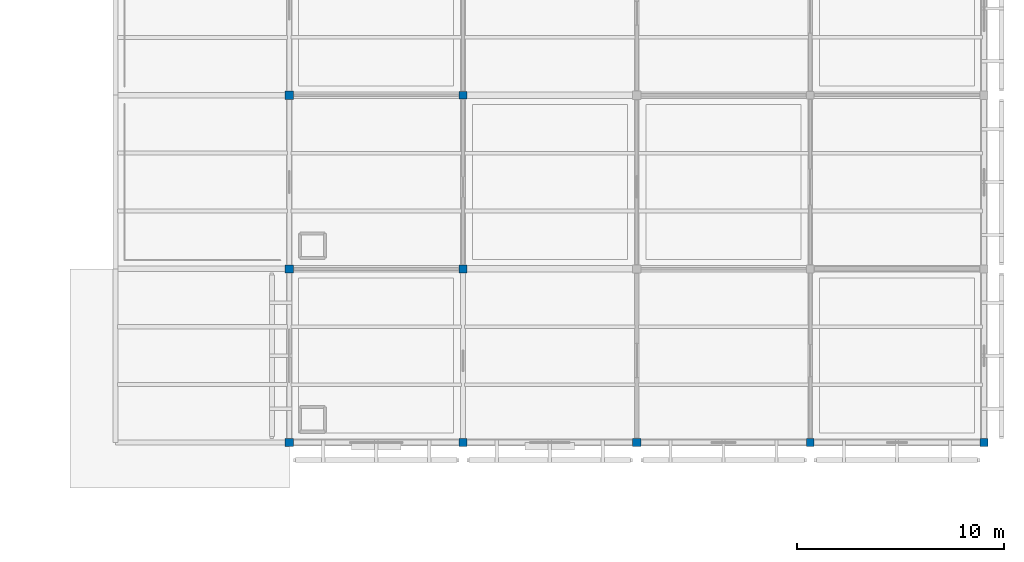
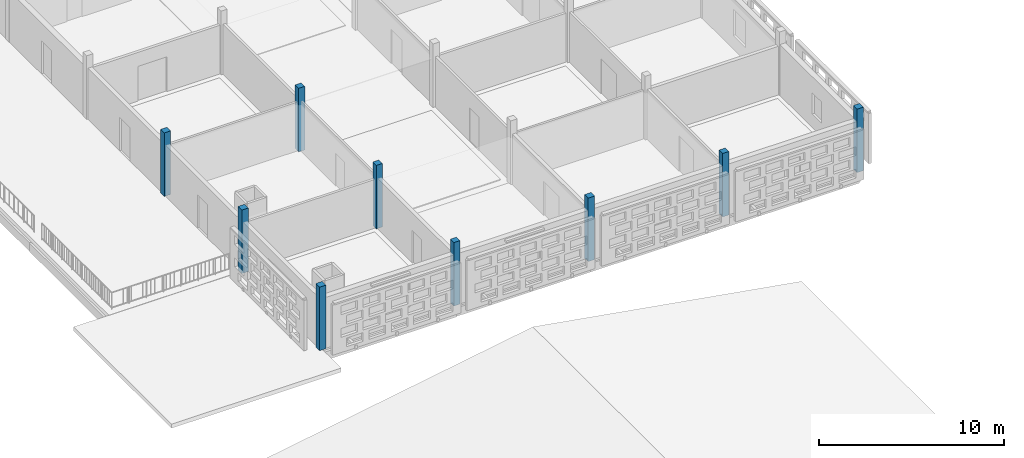
# One storey, part 9 of 140: 9 columns.
"""IFC4 building model written with IfcOpenShell, lengths in metres."""

from ifc_helpers import new_model, si_unit, direction, frame, origin, origin_2d, place, context, subcontext, project, spatial, rectangle, extrude, material, material_profile, profile_set, type_object, element, save


model = new_model("IFC4")

# Units and contexts
model_context = context("Model", 3, precision=1e-05, world=origin(), true_north=direction((0.0, 1.0)))
body_context = subcontext(model_context, "Body", "Model", "MODEL_VIEW")
ifc_project = project(units=[si_unit("LENGTHUNIT", "METRE"), si_unit("AREAUNIT", "SQUARE_METRE"), si_unit("VOLUMEUNIT", "CUBIC_METRE"), si_unit("PLANEANGLEUNIT", "RADIAN"), si_unit("MASSUNIT", "GRAM", prefix="KILO")], contexts=[model_context])

# Site, building, storey
site_placement = place(None, origin())
site = spatial("IfcSite", under=ifc_project, at=site_placement, CompositionType="ELEMENT")
building_placement = place(site_placement, origin())
building = spatial("IfcBuilding", under=site, at=building_placement, Name="Varnapada Polytechnic", CompositionType="ELEMENT")
storey_placement = place(building_placement, frame((0.0, 0.0, 13.800048828125)))
storey = spatial("IfcBuildingStorey", under=building, at=storey_placement, Name="L03", CompositionType="ELEMENT", Elevation=13.800048828125)

# Columns
ifc_material = material(Name="Glulam GL32h", Category="wood")
ifc_material_profile_1 = material_profile(ifc_material, rectangle(XDim=0.39990234375, YDim=0.39990234375, at=origin_2d()), Name="GL 400x400")
ifc_profile_set_1 = profile_set([ifc_material_profile_1], Name="Glulam GL32h")
column_type_1 = type_object("IfcColumnType", Name="Column C-13 (GL 400x400)", PredefinedType="COLUMN", material=ifc_profile_set_1)
for number, where, z_axis, x_axis, name in (
    (1, (142.800048828125, 58.800048828125, 0.0), (0.0, 0.0, 1.0), (1.0, 0.0, 0.0), "L03 column 18/8"),
    (2, (142.800048828125, 67.199951171875, 0.0), (0.0, 0.0, 1.0), (1.0, 0.0, 0.0), "L03 column 18/9"),
    (3, (142.800048828125, 75.60009765625, 0.0), (0.0, 0.0, 1.0), (1.0, 0.0, 0.0), "L03 column 18/10"),
    (4, (159.60009765625, 58.800048828125, 0.0), (0.0, 0.0, 1.0), (1.0, 0.0, 0.0), "L03 column 20/8"),
    (5, (176.39990234375, 58.800048828125, 0.0), (0.0, 0.0, 1.0), (1.0, 0.0, 0.0), "L03 column 22/8"),
):
    element("IfcColumn", number, at=place(storey_placement, frame(where, z_axis=z_axis, x_axis=x_axis)), inside=storey, type_object=column_type_1, Name=name, PredefinedType="COLUMN", context=body_context, shape_type="SweptSolid", body=[
        extrude(rectangle(XDim=0.39990234375, YDim=0.39990234375, at=origin_2d()), origin(), (0.0, 0.0, 1.0), 4.199951171875),
    ])
ifc_material_profile_2 = material_profile(ifc_material, rectangle(XDim=0.3798828125, YDim=0.3798828125, at=origin_2d()), Name="GL 380x380")
ifc_profile_set_2 = profile_set([ifc_material_profile_2], Name="Glulam GL32h")
column_type_2 = type_object("IfcColumnType", Name="Column C-24 (GL 380x380)", PredefinedType="COLUMN", material=ifc_profile_set_2)
for number, where, z_axis, x_axis, name in (
    (6, (151.199951171875, 58.800048828125, 0.0), (0.0, 0.0, 1.0), (1.0, 0.0, 0.0), "L03 column 19/8"),
    (7, (151.199951171875, 67.199951171875, 0.0), (0.0, 0.0, 1.0), (1.0, 0.0, 0.0), "L03 column 19/9"),
    (8, (151.199951171875, 75.60009765625, 0.0), (0.0, 0.0, 1.0), (1.0, 0.0, 0.0), "L03 column 19/10"),
    (9, (168.0, 58.800048828125, 0.0), (0.0, 0.0, 1.0), (1.0, 0.0, 0.0), "L03 column 21/8"),
):
    element("IfcColumn", number, at=place(storey_placement, frame(where, z_axis=z_axis, x_axis=x_axis)), inside=storey, type_object=column_type_2, Name=name, PredefinedType="COLUMN", context=body_context, shape_type="SweptSolid", body=[
        extrude(rectangle(XDim=0.3798828125, YDim=0.3798828125, at=origin_2d()), origin(), (0.0, 0.0, 1.0), 4.199951171875),
    ])

save(model, "model.ifc")
